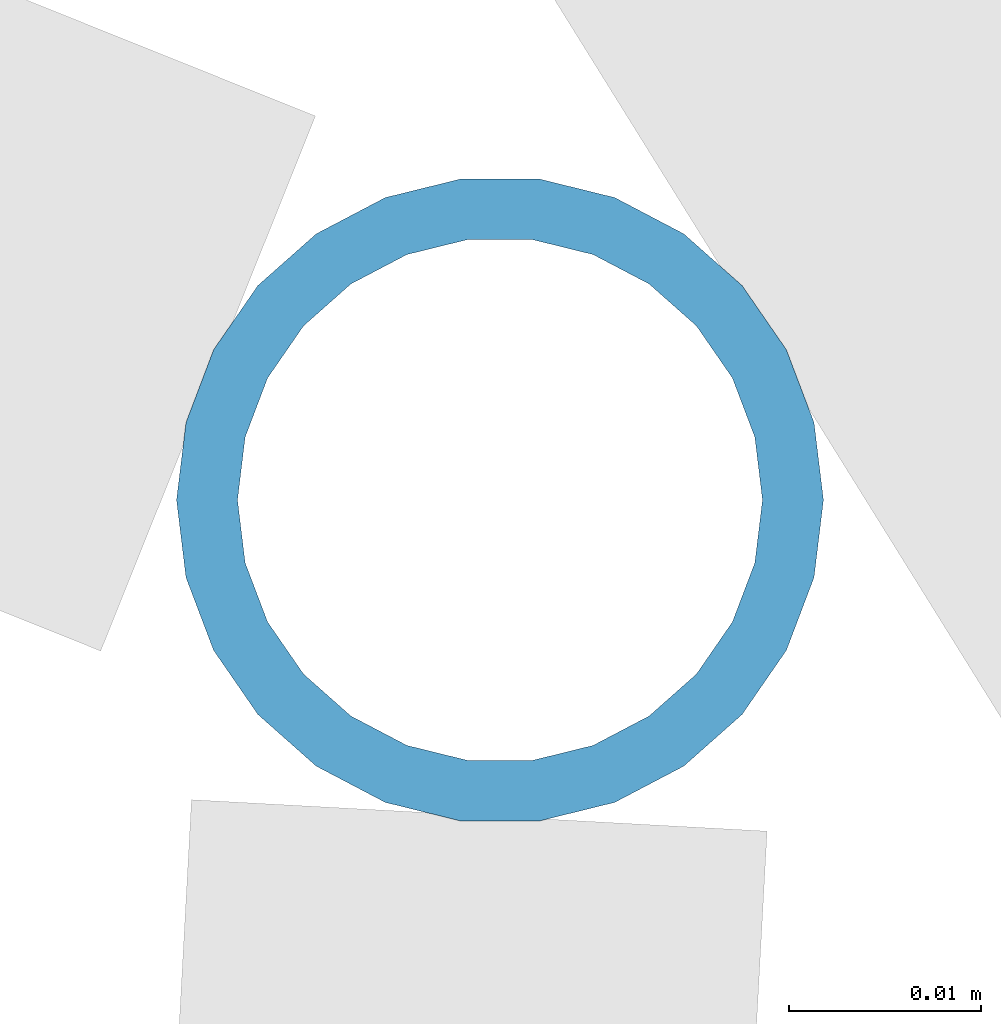
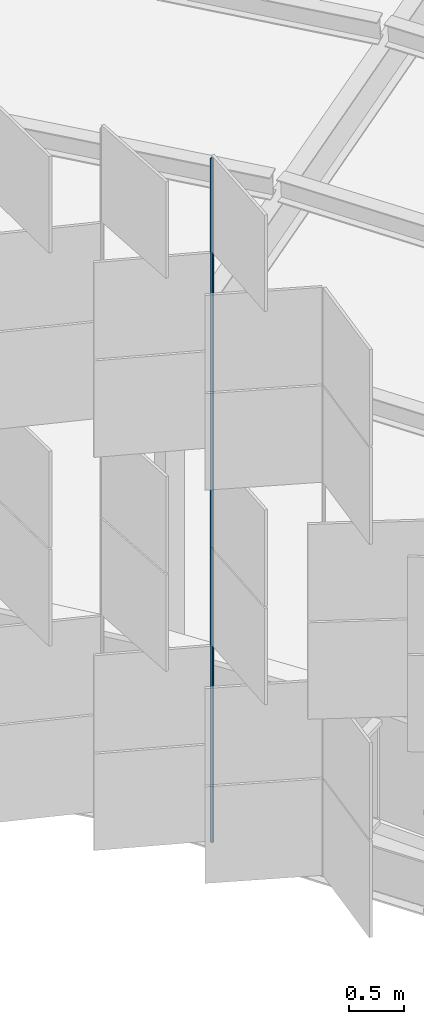
# One storey, part 254 of 483: 1 discrete accessory.
"""IFC4 building model written with IfcOpenShell, lengths in metres."""

import ifcopenshell
import ifcopenshell.guid

model = None  # the IFC model being written
_history = None  # IfcOwnerHistory: only IFC2X3 demands one
_inside = {}  # id of a spatial element -> (the spatial element, [elements in it])
_under = {}  # id of a project, library or spatial element -> (it, [spatial elements below it])
_declared = {}  # id of a project -> (the project, [libraries it declares])
_typed = {}  # id of a type object -> (the type object, [elements of that type])
_made_of = {}  # id of a material, layer set ... -> (it, [elements and type objects made of it])


def new_model(schema):
    """Start an empty IFC model of exactly this schema.

    Asked for "IFC4X3", IfcOpenShell would pick the latest addendum, in which some entities
    have other attributes; the version numbers below select the first issue.
    IFC2X3 requires an IfcOwnerHistory on every rooted entity: one is made here for all.
    """
    global model, _history
    if schema == "IFC4X3":
        model = ifcopenshell.file(schema_version=(4, 3, 0, 0))
    else:
        model = ifcopenshell.file(schema=schema)
    _inside.clear()
    _under.clear()
    _declared.clear()
    _typed.clear()
    _made_of.clear()
    _history = None
    if model.schema == "IFC2X3":
        org = make("IfcOrganization", Name="unknown")
        user = make(
            "IfcPersonAndOrganization",
            ThePerson=make("IfcPerson", FamilyName="unknown"),
            TheOrganization=org,
        )
        app = make(
            "IfcApplication",
            ApplicationDeveloper=org,
            Version="unknown",
            ApplicationFullName="unknown",
            ApplicationIdentifier="unknown",
        )
        _history = make(
            "IfcOwnerHistory",
            OwningUser=user,
            OwningApplication=app,
            ChangeAction="ADDED",
            CreationDate=0,
        )
    return model


def make(cls, **values):
    """One entity of the class cls with the attributes given. An attribute that is None is left unset."""
    return model.create_entity(
        cls, **{name: value for name, value in values.items() if value is not None}
    )


def rooted(cls, **values):
    """An entity with a GlobalId (a new one), such as an element, a storey or a relation."""
    return make(cls, GlobalId=ifcopenshell.guid.new(), OwnerHistory=_history, **values)


def si_unit(unit_type, name, prefix=None):
    """IfcSIUnit, for example si_unit("LENGTHUNIT", "METRE", prefix="MILLI")."""
    return make("IfcSIUnit", UnitType=unit_type, Prefix=prefix, Name=name)


def assignment(units):
    """IfcUnitAssignment: the units of a project."""
    return None if units is None else make("IfcUnitAssignment", Units=units)


def point(xyz):
    """IfcCartesianPoint."""
    return None if xyz is None else make("IfcCartesianPoint", Coordinates=xyz)


def direction(xyz):
    """IfcDirection."""
    return None if xyz is None else make("IfcDirection", DirectionRatios=xyz)


def frame(location, z_axis=None, x_axis=None):
    """IfcAxis2Placement3D, a coordinate frame: its origin and axes. An axis left out is left unset."""
    return make(
        "IfcAxis2Placement3D",
        Location=point(location),
        Axis=direction(z_axis),
        RefDirection=direction(x_axis),
    )


def frame_2d(location, x_axis=None):
    """IfcAxis2Placement2D, a coordinate frame in the plane: its origin and x axis."""
    return make(
        "IfcAxis2Placement2D", Location=point(location), RefDirection=direction(x_axis)
    )


def origin():
    """The frame at (0, 0, 0) with its axes left unset."""
    return frame((0.0, 0.0, 0.0))


def origin_2d():
    """The frame at (0, 0) in the plane with its x axis left unset."""
    return frame_2d((0.0, 0.0))


def place(relative_to, where):
    """IfcLocalPlacement: puts the frame where relative to a parent placement (None: the world)."""
    return make(
        "IfcLocalPlacement", PlacementRelTo=relative_to, RelativePlacement=where
    )


def context(
    kind, dimensions, precision=None, world=None, true_north=None, identifier=None
):
    """IfcGeometricRepresentationContext, for example the 3D "Model" context."""
    return make(
        "IfcGeometricRepresentationContext",
        ContextIdentifier=identifier,
        ContextType=kind,
        CoordinateSpaceDimension=dimensions,
        Precision=precision,
        WorldCoordinateSystem=world,
        TrueNorth=true_north,
    )


def subcontext(parent, identifier, kind, view, scale=None):
    """IfcGeometricRepresentationSubContext, for example "Body" below "Model"."""
    return make(
        "IfcGeometricRepresentationSubContext",
        ContextIdentifier=identifier,
        ContextType=kind,
        ParentContext=parent,
        TargetScale=scale,
        TargetView=view,
    )


def project(units=None, contexts=None):
    """IfcProject with its units and contexts."""
    return rooted(
        "IfcProject",
        Name="project",
        RepresentationContexts=contexts,
        UnitsInContext=assignment(units),
    )


def spatial(cls, under=None, at=None, **own):
    """A site, building, storey or space (cls), placed at a placement, below another one or the project."""
    s = rooted(cls, ObjectPlacement=at, **own)
    if under is not None:
        _under.setdefault(under.id(), (under, []))[1].append(s)
    return s


def profile(cls, at=None, kind="AREA", **sizes):
    """A parametric profile (cls). Its sizes go by their IFC names, for example OverallWidth=200.0."""
    return make(cls, ProfileType=kind, Position=at, **sizes)


def hollow_circle(**sizes):
    """IfcCircleHollowProfileDef."""
    return profile("IfcCircleHollowProfileDef", **sizes)


def extrude(swept, where, along, depth):
    """IfcExtrudedAreaSolid: the profile swept, set in the frame where, extruded along a direction by depth."""
    return make(
        "IfcExtrudedAreaSolid",
        SweptArea=swept,
        Position=where,
        ExtrudedDirection=direction(along),
        Depth=depth,
    )


def shape(context_of_items, identifier, shape_type, items):
    """IfcShapeRepresentation: the items that make up one representation, for example the "Body"."""
    return make(
        "IfcShapeRepresentation",
        ContextOfItems=context_of_items,
        RepresentationIdentifier=identifier,
        RepresentationType=shape_type,
        Items=items,
    )


def material(Name=None, Category=None):
    """IfcMaterial."""
    return make("IfcMaterial", Name=Name, Category=Category)


def material_profile(
    of_material, cross_section, Name=None, Category=None, Priority=None
):
    """IfcMaterialProfile: a cross section and its material."""
    return make(
        "IfcMaterialProfile",
        Name=Name,
        Material=of_material,
        Profile=cross_section,
        Priority=Priority,
        Category=Category,
    )


def profile_set(profiles, Name=None, composite=None):
    """IfcMaterialProfileSet."""
    return make(
        "IfcMaterialProfileSet",
        Name=Name,
        MaterialProfiles=profiles,
        CompositeProfile=composite,
    )


def made_of(thing, what):
    """Note that an element or type object is made of a material, layer set ...; save() writes the relation."""
    if what is not None:
        _made_of.setdefault(what.id(), (what, []))[1].append(thing)
    return thing


def type_object(cls, material=None, **own):
    """A type object (cls), such as IfcWallType, which elements share."""
    return made_of(rooted(cls, **own), material)


def element(
    cls,
    number,
    at=None,
    inside=None,
    cuts=None,
    type_object=None,
    material=None,
    context=None,
    identifier="Body",
    shape_type=None,
    held_by="IfcProductDefinitionShape",
    body=None,
    shapes=None,
    **own,
):
    """One element of the class cls, such as IfcWall. Its Tag is "e" and its number.

    at: its placement. inside: the storey or other place that contains it. cuts: it is an
    opening in that element (IfcRelVoidsElement). A single representation is given by context,
    identifier, shape_type and body (its items); several are given by shapes. held_by: the class
    of the entity that holds the representations. save() writes the other relations.
    """
    e = rooted(cls, Tag="e%d" % number, ObjectPlacement=at, **own)
    if body is not None:
        shapes = [shape(context, identifier, shape_type, body)]
    if shapes is not None:
        e.Representation = make(held_by, Representations=shapes)
    if inside is not None:
        _inside.setdefault(inside.id(), (inside, []))[1].append(e)
    if cuts is not None:
        rooted(
            "IfcRelVoidsElement", RelatingBuildingElement=cuts, RelatedOpeningElement=e
        )
    if type_object is not None:
        _typed.setdefault(type_object.id(), (type_object, []))[1].append(e)
    return made_of(e, material)


def aggregate(whole, parts):
    """IfcRelAggregates: a whole, such as a stair, and the parts it consists of."""
    return rooted("IfcRelAggregates", RelatingObject=whole, RelatedObjects=parts)


def save(model, path):
    """Write the relations noted so far, then the file.

    IfcRelAggregates (storeys below a building ...), IfcRelContainedInSpatialStructure (elements
    in a storey), IfcRelDefinesByType, IfcRelAssociatesMaterial and IfcRelDeclares: one each for
    every whole, place, type object, material and project.
    """
    for whole, parts in _under.values():
        aggregate(whole, parts)
    for where, things in _inside.values():
        rooted(
            "IfcRelContainedInSpatialStructure",
            RelatedElements=things,
            RelatingStructure=where,
        )
    for kind, things in _typed.values():
        rooted("IfcRelDefinesByType", RelatedObjects=things, RelatingType=kind)
    for what, things in _made_of.values():
        rooted("IfcRelAssociatesMaterial", RelatedObjects=things, RelatingMaterial=what)
    for by, libraries in _declared.values():
        rooted("IfcRelDeclares", RelatingContext=by, RelatedDefinitions=libraries)
    model.write(path)


model = new_model("IFC4")

# Units and contexts
model_context = context("Model", 3, precision=1e-05, world=origin(), true_north=direction((0.0, 1.0)))
body_context = subcontext(model_context, "Body", "Model", "MODEL_VIEW")
ifc_project = project(units=[si_unit("LENGTHUNIT", "METRE"), si_unit("AREAUNIT", "SQUARE_METRE"), si_unit("VOLUMEUNIT", "CUBIC_METRE"), si_unit("PLANEANGLEUNIT", "RADIAN"), si_unit("MASSUNIT", "GRAM", prefix="KILO")], contexts=[model_context])

# Site, building, storey
site_placement = place(None, origin())
site = spatial("IfcSite", under=ifc_project, at=site_placement, CompositionType="ELEMENT")
building_placement = place(site_placement, origin())
building = spatial("IfcBuilding", under=site, at=building_placement, Name="Parallax Yard Mobility Hub", CompositionType="ELEMENT")
storey_placement = place(building_placement, frame((0.0, 0.0, 13.199951171875)))
storey = spatial("IfcBuildingStorey", under=building, at=storey_placement, Name="L04", CompositionType="ELEMENT", Elevation=13.199951171875)

# Discrete accessory
ifc_material = material(Name="Steel ASTM A500 Gr C, hot-dip galvanised", Category="steel")
ifc_material_profile = material_profile(ifc_material, hollow_circle(Radius=0.016845703125, WallThickness=0.003173828125, at=origin_2d()), Name="CHS 33.7x3.2")
ifc_profile_set = profile_set([ifc_material_profile], Name="Steel ASTM A500 Gr C, hot-dip galvanised")
discrete_accessory_type = type_object("IfcDiscreteAccessoryType", Name="Hinge post CHS 33.7x3.2", PredefinedType="BRACKET", material=ifc_profile_set)
discrete_accessory_placement = place(storey_placement, frame((190.517578125, 101.71728515625, 0.0), z_axis=(0.0, 0.0, 1.0), x_axis=(1.0, 0.0, 0.0)))
element("IfcDiscreteAccessory", 1, at=discrete_accessory_placement, inside=storey, type_object=discrete_accessory_type, Name="Hinge post bay 21.2 level L04", PredefinedType="BRACKET", context=body_context, shape_type="SweptSolid", body=[
    extrude(hollow_circle(Radius=0.016845703125, WallThickness=0.003173828125, at=origin_2d()), origin(), (0.0, 0.0, 1.0), 7.650146484375),
])

save(model, "model.ifc")
